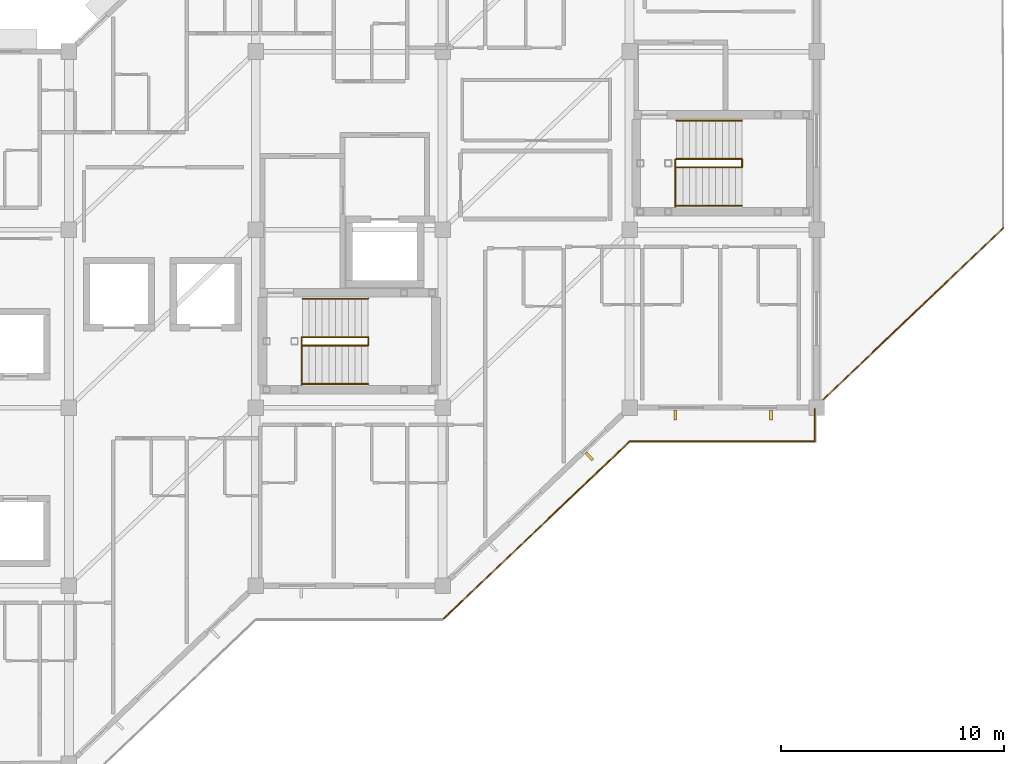
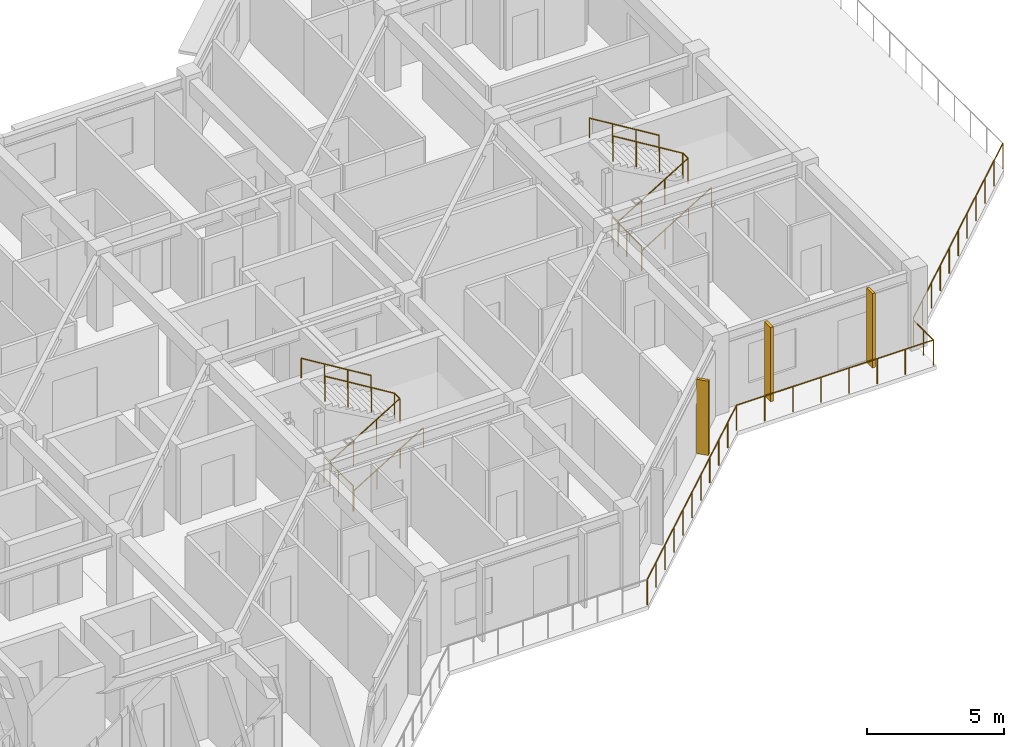
# One storey, part 15 of 16: 16 railings, 3 shading devices.
"""IFC4 building model written with IfcOpenShell, lengths in metres."""

from ifc_helpers import new_model, si_unit, direction, frame, origin, origin_2d, place, context, subcontext, project, spatial, rectangle, circle, extrude, material, layer, layer_set, type_object, element, save


model = new_model("IFC4")

# Units and contexts
model_context = context("Model", 3, precision=1e-05, world=origin(), true_north=direction((0.0, 1.0)))
body_context = subcontext(model_context, "Body", "Model", "MODEL_VIEW")
ifc_project = project(units=[si_unit("LENGTHUNIT", "METRE"), si_unit("AREAUNIT", "SQUARE_METRE"), si_unit("VOLUMEUNIT", "CUBIC_METRE"), si_unit("PLANEANGLEUNIT", "RADIAN"), si_unit("MASSUNIT", "GRAM", prefix="KILO")], contexts=[model_context])

# Site, building, storey
site_placement = place(None, origin())
site = spatial("IfcSite", under=ifc_project, at=site_placement, CompositionType="ELEMENT")
building_placement = place(site_placement, origin())
building = spatial("IfcBuilding", under=site, at=building_placement, Name="Naruveol Harbour Congress Hotel", CompositionType="ELEMENT")
storey_placement = place(building_placement, frame((0.0, 0.0, 28.800048828125)))
storey = spatial("IfcBuildingStorey", under=building, at=storey_placement, Name="L06", CompositionType="ELEMENT", Elevation=28.800048828125)

# Railings
ifc_material_1 = material(Name="Tempered Laminated Safety Glass & Stainless Steel", Category="steel")
ifc_layer_1 = layer(ifc_material_1, 0.06005859375)
ifc_layer_set_1 = layer_set([ifc_layer_1], Name="Tempered Laminated Safety Glass & Stainless Steel")
railing_type_1 = type_object("IfcRailingType", Name="LAMINATED GLASS TERRACE BALUSTRADE 1150", PredefinedType="BALUSTRADE", material=ifc_layer_set_1)
railing_1_placement = place(storey_placement, frame((159.60009765625, 6.47998046875, 0.0)))
element("IfcRailing", 1, at=railing_1_placement, inside=storey, type_object=railing_type_1, Name="L06 Harbour balcony balustrade #94", PredefinedType="BALUSTRADE", context=body_context, shape_type="SweptSolid", body=[
    extrude(circle(Radius=0.02392578125, at=origin_2d()), frame((0.0, 0.0, 1.1259765625), z_axis=(0.724133926887, 0.689659376744, 0.0), x_axis=(-0.689659376744, 0.724133926887, 0.0)), (0.0, 0.0, 1.0), 11.599853515625),
    extrude(circle(Radius=0.02099609375, at=origin_2d()), origin(), (0.0, 0.0, 1.0), 1.101806640625),
    extrude(circle(Radius=0.02099609375, at=origin_2d()), frame((0.840087890625, 0.800048828125, 0.0)), (0.0, 0.0, 1.0), 1.101806640625),
    extrude(circle(Radius=0.02099609375, at=origin_2d()), frame((1.679931640625, 1.60009765625, 0.0)), (0.0, 0.0, 1.0), 1.101806640625),
    extrude(circle(Radius=0.02099609375, at=origin_2d()), frame((2.52001953125, 2.39990234375, 0.0)), (0.0, 0.0, 1.0), 1.101806640625),
    extrude(circle(Radius=0.02099609375, at=origin_2d()), frame((3.35986328125, 3.199951171875, 0.0)), (0.0, 0.0, 1.0), 1.101806640625),
    extrude(circle(Radius=0.02099609375, at=origin_2d()), frame((4.199951171875, 4.0, 0.0)), (0.0, 0.0, 1.0), 1.101806640625),
    extrude(circle(Radius=0.02099609375, at=origin_2d()), frame((5.0400390625, 4.800048828125, 0.0)), (0.0, 0.0, 1.0), 1.101806640625),
    extrude(circle(Radius=0.02099609375, at=origin_2d()), frame((5.8798828125, 5.60009765625, 0.0)), (0.0, 0.0, 1.0), 1.101806640625),
    extrude(circle(Radius=0.02099609375, at=origin_2d()), frame((6.719970703125, 6.39990234375, 0.0)), (0.0, 0.0, 1.0), 1.101806640625),
    extrude(circle(Radius=0.02099609375, at=origin_2d()), frame((7.559814453125, 7.199951171875, 0.0)), (0.0, 0.0, 1.0), 1.101806640625),
    extrude(circle(Radius=0.02099609375, at=origin_2d()), frame((8.39990234375, 8.0, 0.0)), (0.0, 0.0, 1.0), 1.101806640625),
])
railing_2_placement = place(storey_placement, frame((168.0, 14.47998046875, 0.0)))
element("IfcRailing", 2, at=railing_2_placement, inside=storey, type_object=railing_type_1, Name="L06 Harbour balcony balustrade #95", PredefinedType="BALUSTRADE", context=body_context, shape_type="SweptSolid", body=[
    extrude(circle(Radius=0.02392578125, at=origin_2d()), frame((0.0, 0.0, 1.1259765625), z_axis=(1.0, 0.0, 0.0), x_axis=(0.0, 1.0, 0.0)), (0.0, 0.0, 1.0), 8.320068359375),
    extrude(circle(Radius=0.02099609375, at=origin_2d()), origin(), (0.0, 0.0, 1.0), 1.101806640625),
    extrude(circle(Radius=0.02099609375, at=origin_2d()), frame((1.1884765625, 0.0, 0.0)), (0.0, 0.0, 1.0), 1.101806640625),
    extrude(circle(Radius=0.02099609375, at=origin_2d()), frame((2.377197265625, 0.0, 0.0)), (0.0, 0.0, 1.0), 1.101806640625),
    extrude(circle(Radius=0.02099609375, at=origin_2d()), frame((3.565673828125, 0.0, 0.0)), (0.0, 0.0, 1.0), 1.101806640625),
    extrude(circle(Radius=0.02099609375, at=origin_2d()), frame((4.75439453125, 0.0, 0.0)), (0.0, 0.0, 1.0), 1.101806640625),
    extrude(circle(Radius=0.02099609375, at=origin_2d()), frame((5.94287109375, 0.0, 0.0)), (0.0, 0.0, 1.0), 1.101806640625),
    extrude(circle(Radius=0.02099609375, at=origin_2d()), frame((7.131591796875, 0.0, 0.0)), (0.0, 0.0, 1.0), 1.101806640625),
    extrude(circle(Radius=0.02099609375, at=origin_2d()), frame((8.320068359375, 0.0, 0.0)), (0.0, 0.0, 1.0), 1.101806640625),
])
railing_3_placement = place(storey_placement, frame((176.320068359375, 14.47998046875, 0.0)))
element("IfcRailing", 3, at=railing_3_placement, inside=storey, type_object=railing_type_1, Name="L06 Harbour balcony balustrade #96", PredefinedType="BALUSTRADE", context=body_context, shape_type="SweptSolid", body=[
    extrude(circle(Radius=0.02392578125, at=origin_2d()), frame((0.0, 0.0, 1.1259765625), z_axis=(0.0, 1.0, 0.0), x_axis=(-1.0, 0.0, 0.0)), (0.0, 0.0, 1.0), 1.4599609375),
    extrude(circle(Radius=0.02099609375, at=origin_2d()), origin(), (0.0, 0.0, 1.0), 1.101806640625),
    extrude(circle(Radius=0.02099609375, at=origin_2d()), frame((0.0, 0.72998046875, 0.0)), (0.0, 0.0, 1.0), 1.101806640625),
    extrude(circle(Radius=0.02099609375, at=origin_2d()), frame((0.0, 1.4599609375, 0.0)), (0.0, 0.0, 1.0), 1.101806640625),
])
railing_4_placement = place(storey_placement, frame((176.39990234375, 16.080078125, 0.0)))
element("IfcRailing", 4, at=railing_4_placement, inside=storey, type_object=railing_type_1, Name="L06 East Harbour Garden Terrace balustrade #97", PredefinedType="BALUSTRADE", context=body_context, shape_type="SweptSolid", body=[
    extrude(circle(Radius=0.02392578125, at=origin_2d()), frame((0.0, 0.0, 1.1259765625), z_axis=(0.724143937118, 0.689648865971, 0.0), x_axis=(-0.689648865971, 0.724143937118, 0.0)), (0.0, 0.0, 1.0), 11.60009765625),
    extrude(circle(Radius=0.02099609375, at=origin_2d()), origin(), (0.0, 0.0, 1.0), 1.101806640625),
    extrude(circle(Radius=0.02099609375, at=origin_2d()), frame((0.840087890625, 0.800048828125, 0.0)), (0.0, 0.0, 1.0), 1.101806640625),
    extrude(circle(Radius=0.02099609375, at=origin_2d()), frame((1.679931640625, 1.60009765625, 0.0)), (0.0, 0.0, 1.0), 1.101806640625),
    extrude(circle(Radius=0.02099609375, at=origin_2d()), frame((2.52001953125, 2.39990234375, 0.0)), (0.0, 0.0, 1.0), 1.101806640625),
    extrude(circle(Radius=0.02099609375, at=origin_2d()), frame((3.360107421875, 3.199951171875, 0.0)), (0.0, 0.0, 1.0), 1.101806640625),
    extrude(circle(Radius=0.02099609375, at=origin_2d()), frame((4.2001953125, 4.0, 0.0)), (0.0, 0.0, 1.0), 1.101806640625),
    extrude(circle(Radius=0.02099609375, at=origin_2d()), frame((5.0400390625, 4.800048828125, 0.0)), (0.0, 0.0, 1.0), 1.101806640625),
    extrude(circle(Radius=0.02099609375, at=origin_2d()), frame((5.880126953125, 5.60009765625, 0.0)), (0.0, 0.0, 1.0), 1.101806640625),
    extrude(circle(Radius=0.02099609375, at=origin_2d()), frame((6.72021484375, 6.39990234375, 0.0)), (0.0, 0.0, 1.0), 1.101806640625),
    extrude(circle(Radius=0.02099609375, at=origin_2d()), frame((7.56005859375, 7.199951171875, 0.0)), (0.0, 0.0, 1.0), 1.101806640625),
    extrude(circle(Radius=0.02099609375, at=origin_2d()), frame((8.400146484375, 8.0, 0.0)), (0.0, 0.0, 1.0), 1.101806640625),
])

# Shading devices
ifc_material_2 = material(Name="Precast concrete C40/50", Category="concrete")
shading_device_type = type_object("IfcShadingDeviceType", Name="PRECAST VERTICAL BRISE SOLEIL FIN 120X450", PredefinedType="JALOUSIE", material=ifc_material_2)
for number, where, z_axis, x_axis, name in (
    (5, (166.18994140625, 13.806884765625, 0.0), (0.0, 0.0, 1.0), (-0.724171861437, -0.689619543736, 0.0), "Precast brise-soleil fin BS-V450 #56"),
    (6, (174.35595703125, 15.659912109375, 0.0), (0.0, 0.0, 1.0), (-1.0, 0.0, 0.0), "Precast brise-soleil fin BS-V450 #59"),
    (7, (170.0439453125, 15.659912109375, 0.0), (0.0, 0.0, 1.0), (-1.0, 0.0, 0.0), "Precast brise-soleil fin BS-V450 #60"),
):
    element("IfcShadingDevice", number, at=place(storey_placement, frame(where, z_axis=z_axis, x_axis=x_axis)), inside=storey, type_object=shading_device_type, Name=name, PredefinedType="JALOUSIE", context=body_context, shape_type="SweptSolid", body=[
        extrude(rectangle(XDim=0.1201171875, YDim=0.449951171875, at=origin_2d()), origin(), (0.0, 0.0, 1.0), 3.320068359375),
    ])

# Railings
ifc_material_3 = material(Name="Stainless Steel 304", Category="steel")
ifc_layer_2 = layer(ifc_material_3, 0.0419921875)
ifc_layer_set_2 = layer_set([ifc_layer_2], Name="Stainless Steel 304")
railing_type_2 = type_object("IfcRailingType", Name="STAIR WALL MOUNTED HANDRAIL 900", PredefinedType="HANDRAIL", material=ifc_layer_set_2)
railing_5_placement = place(storey_placement, frame((153.300048828125, 17.06005859375, 0.0)))
element("IfcRailing", 8, at=railing_5_placement, inside=storey, type_object=railing_type_2, Name="Stair ST2 L06 lower wall handrail", PredefinedType="HANDRAIL", context=body_context, shape_type="SweptSolid", body=[
    extrude(circle(Radius=0.02392578125, at=origin_2d()), frame((0.0, 0.0, 0.8759765625), z_axis=(0.85362916449, 0.0, 0.520881224016), x_axis=(0.0, 1.0, 0.0)), (0.0, 0.0, 1.0), 3.455810546875),
    extrude(circle(Radius=0.02099609375, at=origin_2d()), origin(), (0.0, 0.0, 1.0), 0.851806640625),
    extrude(circle(Radius=0.02099609375, at=origin_2d()), frame((0.9833984375, 0.0, 0.60009765625)), (0.0, 0.0, 1.0), 0.851806640625),
    extrude(circle(Radius=0.02099609375, at=origin_2d()), frame((1.966552734375, 0.0, 1.199951171875)), (0.0, 0.0, 1.0), 0.851806640625),
    extrude(circle(Radius=0.02099609375, at=origin_2d()), frame((2.949951171875, 0.0, 1.800048828125)), (0.0, 0.0, 1.0), 0.851806640625),
])
railing_6_placement = place(storey_placement, frame((156.25, 20.89990234375, 1.800048828125)))
element("IfcRailing", 9, at=railing_6_placement, inside=storey, type_object=railing_type_2, Name="Stair ST2 L06 upper wall handrail", PredefinedType="HANDRAIL", context=body_context, shape_type="SweptSolid", body=[
    extrude(circle(Radius=0.02392578125, at=origin_2d()), frame((0.0, 0.0, 0.8759765625), z_axis=(-0.853660576587, 0.0, 0.520829741836), x_axis=(0.0, -1.0, 0.0)), (0.0, 0.0, 1.0), 3.45556640625),
    extrude(circle(Radius=0.02099609375, at=origin_2d()), origin(), (0.0, 0.0, 1.0), 0.851806640625),
    extrude(circle(Radius=0.02099609375, at=origin_2d()), frame((-0.9833984375, 0.0, 0.599853515625)), (0.0, 0.0, 1.0), 0.851806640625),
    extrude(circle(Radius=0.02099609375, at=origin_2d()), frame((-1.966552734375, 0.0, 1.199951171875)), (0.0, 0.0, 1.0), 0.851806640625),
    extrude(circle(Radius=0.02099609375, at=origin_2d()), frame((-2.949951171875, 0.0, 1.7998046875)), (0.0, 0.0, 1.0), 0.851806640625),
])
railing_7_placement = place(storey_placement, frame((170.10009765625, 25.06005859375, 0.0)))
element("IfcRailing", 10, at=railing_7_placement, inside=storey, type_object=railing_type_2, Name="Stair ST4 L06 lower wall handrail", PredefinedType="HANDRAIL", context=body_context, shape_type="SweptSolid", body=[
    extrude(circle(Radius=0.02392578125, at=origin_2d()), frame((0.0, 0.0, 0.8759765625), z_axis=(0.85362916449, 0.0, 0.520881224016), x_axis=(0.0, 1.0, 0.0)), (0.0, 0.0, 1.0), 3.455810546875),
    extrude(circle(Radius=0.02099609375, at=origin_2d()), origin(), (0.0, 0.0, 1.0), 0.851806640625),
    extrude(circle(Radius=0.02099609375, at=origin_2d()), frame((0.9833984375, 0.0, 0.60009765625)), (0.0, 0.0, 1.0), 0.851806640625),
    extrude(circle(Radius=0.02099609375, at=origin_2d()), frame((1.966552734375, 0.0, 1.199951171875)), (0.0, 0.0, 1.0), 0.851806640625),
    extrude(circle(Radius=0.02099609375, at=origin_2d()), frame((2.949951171875, 0.0, 1.800048828125)), (0.0, 0.0, 1.0), 0.851806640625),
])
railing_8_placement = place(storey_placement, frame((173.050048828125, 28.89990234375, 1.800048828125)))
element("IfcRailing", 11, at=railing_8_placement, inside=storey, type_object=railing_type_2, Name="Stair ST4 L06 upper wall handrail", PredefinedType="HANDRAIL", context=body_context, shape_type="SweptSolid", body=[
    extrude(circle(Radius=0.02392578125, at=origin_2d()), frame((0.0, 0.0, 0.8759765625), z_axis=(-0.853660576587, 0.0, 0.520829741836), x_axis=(0.0, -1.0, 0.0)), (0.0, 0.0, 1.0), 3.45556640625),
    extrude(circle(Radius=0.02099609375, at=origin_2d()), origin(), (0.0, 0.0, 1.0), 0.851806640625),
    extrude(circle(Radius=0.02099609375, at=origin_2d()), frame((-0.9833984375, 0.0, 0.599853515625)), (0.0, 0.0, 1.0), 0.851806640625),
    extrude(circle(Radius=0.02099609375, at=origin_2d()), frame((-1.966552734375, 0.0, 1.199951171875)), (0.0, 0.0, 1.0), 0.851806640625),
    extrude(circle(Radius=0.02099609375, at=origin_2d()), frame((-2.949951171875, 0.0, 1.7998046875)), (0.0, 0.0, 1.0), 0.851806640625),
])
ifc_material_4 = material(Name="Steel SN490", Category="steel")
ifc_layer_3 = layer(ifc_material_4, 0.044921875)
ifc_layer_set_3 = layer_set([ifc_layer_3], Name="Steel SN490")
railing_type_3 = type_object("IfcRailingType", Name="STAIRWELL STEEL GUARDRAIL 1150", PredefinedType="GUARDRAIL", material=ifc_layer_set_3)
railing_9_placement = place(storey_placement, frame((153.300048828125, 18.7900390625, 0.0)))
element("IfcRailing", 12, at=railing_9_placement, inside=storey, type_object=railing_type_3, Name="Stair ST2 L06 lower well guard", PredefinedType="GUARDRAIL", context=body_context, shape_type="SweptSolid", body=[
    extrude(circle(Radius=0.02392578125, at=origin_2d()), frame((0.0, 0.0, 1.1259765625), z_axis=(0.85362916449, 0.0, 0.520881224016), x_axis=(0.0, 1.0, 0.0)), (0.0, 0.0, 1.0), 3.455810546875),
    extrude(circle(Radius=0.02099609375, at=origin_2d()), origin(), (0.0, 0.0, 1.0), 1.101806640625),
    extrude(circle(Radius=0.02099609375, at=origin_2d()), frame((0.9833984375, 0.0, 0.60009765625)), (0.0, 0.0, 1.0), 1.101806640625),
    extrude(circle(Radius=0.02099609375, at=origin_2d()), frame((1.966552734375, 0.0, 1.199951171875)), (0.0, 0.0, 1.0), 1.101806640625),
    extrude(circle(Radius=0.02099609375, at=origin_2d()), frame((2.949951171875, 0.0, 1.800048828125)), (0.0, 0.0, 1.0), 1.101806640625),
])
railing_10_placement = place(storey_placement, frame((156.25, 18.7900390625, 1.800048828125)))
element("IfcRailing", 13, at=railing_10_placement, inside=storey, type_object=railing_type_3, Name="Stair ST2 L06 half-landing slot guard", PredefinedType="GUARDRAIL", context=body_context, shape_type="SweptSolid", body=[
    extrude(circle(Radius=0.02392578125, at=origin_2d()), frame((0.0, 0.0, 1.1259765625), z_axis=(0.0, 1.0, 0.0), x_axis=(-1.0, 0.0, 0.0)), (0.0, 0.0, 1.0), 0.3798828125),
    extrude(circle(Radius=0.02099609375, at=origin_2d()), origin(), (0.0, 0.0, 1.0), 1.101806640625),
    extrude(circle(Radius=0.02099609375, at=origin_2d()), frame((0.0, 0.3798828125, 0.0)), (0.0, 0.0, 1.0), 1.101806640625),
])
railing_11_placement = place(storey_placement, frame((156.25, 19.169921875, 1.800048828125)))
element("IfcRailing", 14, at=railing_11_placement, inside=storey, type_object=railing_type_3, Name="Stair ST2 L06 upper well guard", PredefinedType="GUARDRAIL", context=body_context, shape_type="SweptSolid", body=[
    extrude(circle(Radius=0.02392578125, at=origin_2d()), frame((0.0, 0.0, 1.1259765625), z_axis=(-0.853660576587, 0.0, 0.520829741836), x_axis=(0.0, -1.0, 0.0)), (0.0, 0.0, 1.0), 3.45556640625),
    extrude(circle(Radius=0.02099609375, at=origin_2d()), origin(), (0.0, 0.0, 1.0), 1.101806640625),
    extrude(circle(Radius=0.02099609375, at=origin_2d()), frame((-0.9833984375, 0.0, 0.599853515625)), (0.0, 0.0, 1.0), 1.101806640625),
    extrude(circle(Radius=0.02099609375, at=origin_2d()), frame((-1.966552734375, 0.0, 1.199951171875)), (0.0, 0.0, 1.0), 1.101806640625),
    extrude(circle(Radius=0.02099609375, at=origin_2d()), frame((-2.949951171875, 0.0, 1.7998046875)), (0.0, 0.0, 1.0), 1.101806640625),
])
railing_12_placement = place(storey_placement, frame((153.260009765625, 17.02001953125, 0.0)))
element("IfcRailing", 15, at=railing_12_placement, inside=storey, type_object=railing_type_3, Name="Stair ST2 L06 landing well guard", PredefinedType="GUARDRAIL", context=body_context, shape_type="SweptSolid", body=[
    extrude(circle(Radius=0.02392578125, at=origin_2d()), frame((0.0, 0.0, 1.1259765625), z_axis=(0.0, 1.0, 0.0), x_axis=(-1.0, 0.0, 0.0)), (0.0, 0.0, 1.0), 2.14990234375),
    extrude(circle(Radius=0.02099609375, at=origin_2d()), origin(), (0.0, 0.0, 1.0), 1.101806640625),
    extrude(circle(Radius=0.02099609375, at=origin_2d()), frame((0.0, 1.074951171875, 0.0)), (0.0, 0.0, 1.0), 1.101806640625),
    extrude(circle(Radius=0.02099609375, at=origin_2d()), frame((0.0, 2.14990234375, 0.0)), (0.0, 0.0, 1.0), 1.101806640625),
])
railing_13_placement = place(storey_placement, frame((170.10009765625, 26.7900390625, 0.0)))
element("IfcRailing", 16, at=railing_13_placement, inside=storey, type_object=railing_type_3, Name="Stair ST4 L06 lower well guard", PredefinedType="GUARDRAIL", context=body_context, shape_type="SweptSolid", body=[
    extrude(circle(Radius=0.02392578125, at=origin_2d()), frame((0.0, 0.0, 1.1259765625), z_axis=(0.85362916449, 0.0, 0.520881224016), x_axis=(0.0, 1.0, 0.0)), (0.0, 0.0, 1.0), 3.455810546875),
    extrude(circle(Radius=0.02099609375, at=origin_2d()), origin(), (0.0, 0.0, 1.0), 1.101806640625),
    extrude(circle(Radius=0.02099609375, at=origin_2d()), frame((0.9833984375, 0.0, 0.60009765625)), (0.0, 0.0, 1.0), 1.101806640625),
    extrude(circle(Radius=0.02099609375, at=origin_2d()), frame((1.966552734375, 0.0, 1.199951171875)), (0.0, 0.0, 1.0), 1.101806640625),
    extrude(circle(Radius=0.02099609375, at=origin_2d()), frame((2.949951171875, 0.0, 1.800048828125)), (0.0, 0.0, 1.0), 1.101806640625),
])
railing_14_placement = place(storey_placement, frame((173.050048828125, 26.7900390625, 1.800048828125)))
element("IfcRailing", 17, at=railing_14_placement, inside=storey, type_object=railing_type_3, Name="Stair ST4 L06 half-landing slot guard", PredefinedType="GUARDRAIL", context=body_context, shape_type="SweptSolid", body=[
    extrude(circle(Radius=0.02392578125, at=origin_2d()), frame((0.0, 0.0, 1.1259765625), z_axis=(0.0, 1.0, 0.0), x_axis=(-1.0, 0.0, 0.0)), (0.0, 0.0, 1.0), 0.3798828125),
    extrude(circle(Radius=0.02099609375, at=origin_2d()), origin(), (0.0, 0.0, 1.0), 1.101806640625),
    extrude(circle(Radius=0.02099609375, at=origin_2d()), frame((0.0, 0.3798828125, 0.0)), (0.0, 0.0, 1.0), 1.101806640625),
])
railing_15_placement = place(storey_placement, frame((173.050048828125, 27.169921875, 1.800048828125)))
element("IfcRailing", 18, at=railing_15_placement, inside=storey, type_object=railing_type_3, Name="Stair ST4 L06 upper well guard", PredefinedType="GUARDRAIL", context=body_context, shape_type="SweptSolid", body=[
    extrude(circle(Radius=0.02392578125, at=origin_2d()), frame((0.0, 0.0, 1.1259765625), z_axis=(-0.853660576587, 0.0, 0.520829741836), x_axis=(0.0, -1.0, 0.0)), (0.0, 0.0, 1.0), 3.45556640625),
    extrude(circle(Radius=0.02099609375, at=origin_2d()), origin(), (0.0, 0.0, 1.0), 1.101806640625),
    extrude(circle(Radius=0.02099609375, at=origin_2d()), frame((-0.9833984375, 0.0, 0.599853515625)), (0.0, 0.0, 1.0), 1.101806640625),
    extrude(circle(Radius=0.02099609375, at=origin_2d()), frame((-1.966552734375, 0.0, 1.199951171875)), (0.0, 0.0, 1.0), 1.101806640625),
    extrude(circle(Radius=0.02099609375, at=origin_2d()), frame((-2.949951171875, 0.0, 1.7998046875)), (0.0, 0.0, 1.0), 1.101806640625),
])
railing_16_placement = place(storey_placement, frame((170.06005859375, 25.02001953125, 0.0)))
element("IfcRailing", 19, at=railing_16_placement, inside=storey, type_object=railing_type_3, Name="Stair ST4 L06 landing well guard", PredefinedType="GUARDRAIL", context=body_context, shape_type="SweptSolid", body=[
    extrude(circle(Radius=0.02392578125, at=origin_2d()), frame((0.0, 0.0, 1.1259765625), z_axis=(0.0, 1.0, 0.0), x_axis=(-1.0, 0.0, 0.0)), (0.0, 0.0, 1.0), 2.14990234375),
    extrude(circle(Radius=0.02099609375, at=origin_2d()), origin(), (0.0, 0.0, 1.0), 1.101806640625),
    extrude(circle(Radius=0.02099609375, at=origin_2d()), frame((0.0, 1.074951171875, 0.0)), (0.0, 0.0, 1.0), 1.101806640625),
    extrude(circle(Radius=0.02099609375, at=origin_2d()), frame((0.0, 2.14990234375, 0.0)), (0.0, 0.0, 1.0), 1.101806640625),
])

save(model, "model.ifc")
